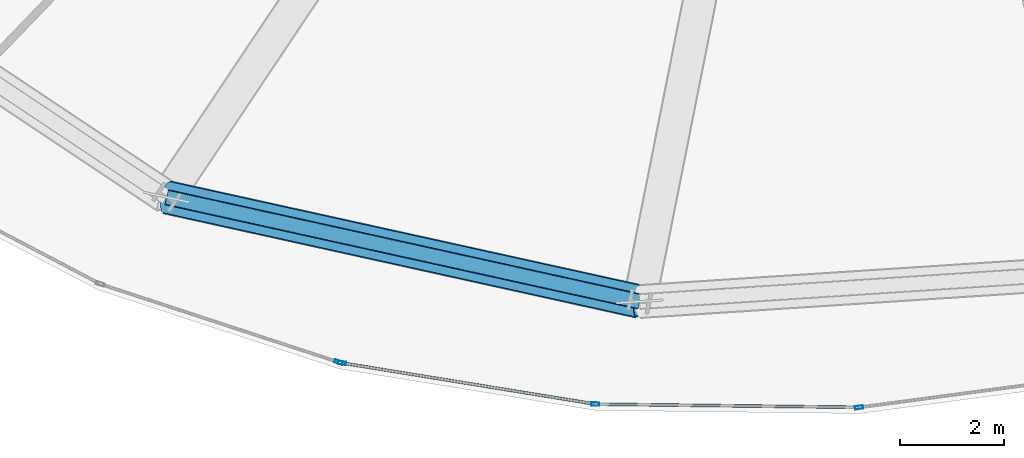
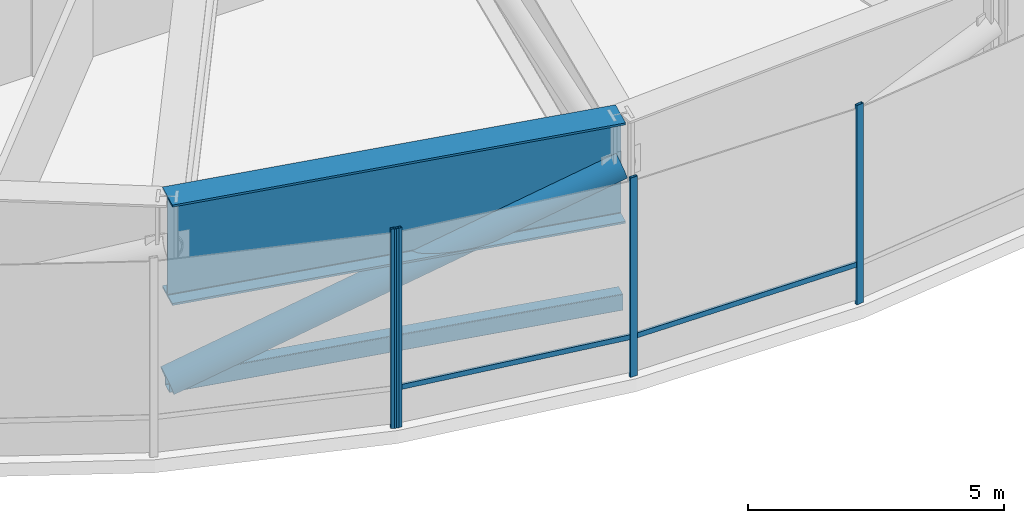
# One storey, part 5 of 33: 8 members, 1 beam, 2 elements without a shape of their own.
"""IFC4 building model written with IfcOpenShell, lengths in metres."""

from ifc_helpers import new_model, si_unit, direction, frame, origin, origin_2d, place, context, subcontext, project, spatial, hollow_rectangle, hollow_circle, i_section, extrude, source, transform, mapped, material, layer, layer_set, material_profile, profile_set, type_object, element, aggregate, save


model = new_model("IFC4")

# Units and contexts
model_context = context("Model", 3, precision=1e-05, world=origin(), true_north=direction((0.0, 1.0)))
body_context = subcontext(model_context, "Body", "Model", "MODEL_VIEW")
ifc_project = project(units=[si_unit("LENGTHUNIT", "METRE"), si_unit("AREAUNIT", "SQUARE_METRE"), si_unit("VOLUMEUNIT", "CUBIC_METRE"), si_unit("PLANEANGLEUNIT", "RADIAN"), si_unit("MASSUNIT", "GRAM", prefix="KILO"), si_unit("THERMODYNAMICTEMPERATUREUNIT", "KELVIN")], contexts=[model_context])

# Site, building, storey
site_placement = place(None, origin())
site = spatial("IfcSite", under=ifc_project, at=site_placement, CompositionType="ELEMENT")
building_placement = place(site_placement, origin())
building = spatial("IfcBuilding", under=site, at=building_placement, Name="Kethvar Cultural Tower", CompositionType="ELEMENT")
storey_placement = place(building_placement, frame((0.0, 0.0, 80.39990234375)))
storey = spatial("IfcBuildingStorey", under=building, at=storey_placement, Name="L19", CompositionType="ELEMENT", Elevation=80.39990234375)

# Beam
ifc_material_1 = material(Name="Steel S460M", Category="steel")
ifc_material_profile_1 = material_profile(ifc_material_1, i_section(OverallWidth=0.64990234375, OverallDepth=2.39990234375, WebThickness=0.030029296875, FlangeThickness=0.048095703125, FilletRadius=0.02197265625, at=origin_2d()), Name="Steel S460M — PG2400x650x48x30")
ifc_profile_set_1 = profile_set([ifc_material_profile_1], Name="Steel S460M — PG2400x650x48x30")
beam_type = type_object("IfcBeamType", Name="BM-TR2400", PredefinedType="BEAM", material=ifc_profile_set_1)
shared_shape_1 = source(origin(), body_context, "Body", "SweptSolid", [
    extrude(i_section(OverallWidth=0.64990234375, OverallDepth=2.39990234375, WebThickness=0.030029296875, FlangeThickness=0.048095703125, FilletRadius=0.02197265625, at=origin_2d()), origin(), (0.0, 0.0, 1.0), 9.299560546875),
])
beam_placement = place(storey_placement, frame((33.302001953125, 7.598876953125, 3.55810546875), z_axis=(0.976536034872, -0.21535406334, 0.0), x_axis=(0.21535406334, 0.976536034872, 0.0)))
element("IfcBeam", 1, at=beam_placement, inside=storey, type_object=beam_type, Name="L19 Ring Belt Girder BG-11", PredefinedType="BEAM", context=body_context, shape_type="MappedRepresentation", body=[
    mapped(shared_shape_1, transform((0.0, 0.0, 0.0), scale=1.0)),
])

# Members
ifc_material_profile_2 = material_profile(ifc_material_1, hollow_rectangle(XDim=0.300048828125, YDim=0.39990234375, WallThickness=0.01611328125, InnerFilletRadius=0.01611328125, OuterFilletRadius=0.031982421875, at=origin_2d()), Name="Steel S460M — RHS400x300x16")
ifc_profile_set_2 = profile_set([ifc_material_profile_2], Name="Steel S460M — RHS400x300x16")
member_type_1 = type_object("IfcMemberType", Name="MB-CHD-400", PredefinedType="CHORD", material=ifc_profile_set_2)
shared_shape_2 = source(origin(), body_context, "Body", "SweptSolid", [
    extrude(hollow_rectangle(XDim=0.300048828125, YDim=0.39990234375, WallThickness=0.01611328125, InnerFilletRadius=0.01611328125, OuterFilletRadius=0.031982421875, at=origin_2d()), origin(), (0.0, 0.0, 1.0), 9.299560546875),
])
member_1_placement = place(storey_placement, frame((33.302001953125, 7.598876953125, 0.35009765625), z_axis=(0.976536034872, -0.21535406334, 0.0), x_axis=(0.21535406334, 0.976536034872, 0.0)))
element("IfcMember", 2, at=member_1_placement, inside=storey, type_object=member_type_1, Name="L19 Ring Belt Bottom Chord BC-11", PredefinedType="CHORD", context=body_context, shape_type="MappedRepresentation", body=[
    mapped(shared_shape_2, transform((0.0, 0.0, 0.0), scale=1.0)),
])
ifc_material_profile_3 = material_profile(ifc_material_1, hollow_circle(Radius=0.304931640625, WallThickness=0.02490234375, at=origin_2d()), Name="Steel S460M — CHS610x25")
ifc_profile_set_3 = profile_set([ifc_material_profile_3], Name="Steel S460M — CHS610x25")
member_type_2 = type_object("IfcMemberType", Name="MB-OUT-610", PredefinedType="BRACE", material=ifc_profile_set_3)
shared_shape_3 = source(origin(), body_context, "Body", "SweptSolid", [
    extrude(hollow_circle(Radius=0.304931640625, WallThickness=0.02490234375, at=origin_2d()), origin(), (0.0, 0.0, 1.0), 9.837158203125),
])
member_2_placement = place(storey_placement, frame((33.302001953125, 7.598876953125, 0.35009765625), z_axis=(0.923151525816, -0.203581255646, 0.326107241154), x_axis=(0.21535406334, 0.976536034872, 0.0)))
element("IfcMember", 3, at=member_2_placement, inside=storey, type_object=member_type_2, Name="L19 Ring Belt Diagonal BD-11", PredefinedType="BRACE", context=body_context, shape_type="MappedRepresentation", body=[
    mapped(shared_shape_3, transform((0.0, 0.0, 0.0), scale=1.0)),
])

# Curtain wall, member
ifc_material_2 = material(Name="Aluminium 6063-T6", Category="aluminium")
ifc_layer = layer(ifc_material_2, 0.179931640625, Name="Aluminium 6063-T6", Category="aluminium")
ifc_layer_set = layer_set([ifc_layer], Name="Aluminium 6063-T6 (180 mm)")
curtain_wall_type = type_object("IfcCurtainWallType", Name="CW-SYS-02-Z1", PredefinedType="NOTDEFINED", material=ifc_layer_set)
curtain_wall_1_placement = place(storey_placement, origin())
curtain_wall_1 = element("IfcCurtainWall", 4, at=curtain_wall_1_placement, inside=storey, type_object=curtain_wall_type, Name="L19 Curtain Wall Run 04", PredefinedType="NOTDEFINED")
ifc_material_profile_4 = material_profile(ifc_material_2, hollow_rectangle(XDim=0.06494140625, YDim=0.159912109375, WallThickness=0.0048828125, at=origin_2d()), Name="Aluminium 6063-T6 — RHS160x65x5")
ifc_profile_set_4 = profile_set([ifc_material_profile_4], Name="Aluminium 6063-T6 — RHS160x65x5")
member_type_3 = type_object("IfcMemberType", Name="CW-SYS-02-Z1-MUL", PredefinedType="MULLION", material=ifc_profile_set_4)
shared_shape_4 = source(origin(), body_context, "Body", "SweptSolid", [
    extrude(hollow_rectangle(XDim=0.06494140625, YDim=0.159912109375, WallThickness=0.0048828125, at=origin_2d()), origin(), (0.0, 0.0, 1.0), 4.760009765625),
])
member_3_placement = place(storey_placement, frame((36.602783203125, 4.4326171875, 0.0), z_axis=(0.0, 0.0, 1.0), x_axis=(0.311605300321, 0.950211627382, 0.0)))
member_3 = element("IfcMember", 5, at=member_3_placement, type_object=member_type_3, Name="CW-L19-R04 Mullion 7", PredefinedType="MULLION", context=body_context, shape_type="MappedRepresentation", body=[
    mapped(shared_shape_4, transform((0.0, 0.0, 0.0), scale=1.0)),
])
aggregate(curtain_wall_1, [member_3])

# Curtain wall, members
curtain_wall_2_placement = place(storey_placement, origin())
curtain_wall_2 = element("IfcCurtainWall", 6, at=curtain_wall_2_placement, inside=storey, type_object=curtain_wall_type, Name="L19 Curtain Wall Run 05", PredefinedType="NOTDEFINED")
member_4_placement = place(storey_placement, frame((36.66650390625, 4.417236328125, 0.0), z_axis=(0.0, 0.0, 1.0), x_axis=(0.160225753504, 0.987080395872, 0.0)))
member_4 = element("IfcMember", 7, at=member_4_placement, type_object=member_type_3, Name="CW-L19-R05 Mullion 1", PredefinedType="MULLION", context=body_context, shape_type="MappedRepresentation", body=[
    mapped(shared_shape_4, transform((0.0, 0.0, 0.0), scale=1.0)),
])
member_5_placement = place(storey_placement, frame((41.531005859375, 3.626220703125, 0.0), z_axis=(0.0, 0.0, 1.0), x_axis=(0.012025028722, 0.999927696728, 0.0)))
member_5 = element("IfcMember", 8, at=member_5_placement, type_object=member_type_3, Name="CW-L19-R05 Mullion 2", PredefinedType="MULLION", context=body_context, shape_type="MappedRepresentation", body=[
    mapped(shared_shape_4, transform((0.0, 0.0, 0.0), scale=1.0)),
])
member_6_placement = place(storey_placement, frame((46.597412109375, 3.56396484375, 0.0), z_axis=(0.0, 0.0, 1.0), x_axis=(-0.132221790227, 0.991220156267, 0.0)))
member_6 = element("IfcMember", 9, at=member_6_placement, type_object=member_type_3, Name="CW-L19-R05 Mullion 3", PredefinedType="MULLION", context=body_context, shape_type="MappedRepresentation", body=[
    mapped(shared_shape_4, transform((0.0, 0.0, 0.0), scale=1.0)),
])
ifc_material_profile_5 = material_profile(ifc_material_2, hollow_rectangle(XDim=0.054931640625, YDim=0.1201171875, WallThickness=0.00390625, at=origin_2d()), Name="Aluminium 6063-T6 — RHS120x55x4")
ifc_profile_set_5 = profile_set([ifc_material_profile_5], Name="Aluminium 6063-T6 — RHS120x55x4")
member_type_4 = type_object("IfcMemberType", Name="CW-SYS-02-Z1-TRN", PredefinedType="USERDEFINED", material=ifc_profile_set_5)
shared_shape_5 = source(origin(), body_context, "Body", "SweptSolid", [
    extrude(hollow_rectangle(XDim=0.054931640625, YDim=0.1201171875, WallThickness=0.00390625, at=origin_2d()), origin(), (0.0, 0.0, 1.0), 4.99072265625),
])
member_7_placement = place(storey_placement, frame((41.57763671875, 3.62548828125, 0.9501953125), z_axis=(0.999928179056, -0.011984854159, 0.0), x_axis=(0.011984854159, 0.999928179056, 0.0)))
member_7 = element("IfcMember", 10, at=member_7_placement, type_object=member_type_4, Name="CW-L19-R05 Transom 2", ObjectType="TRANSOM", PredefinedType="USERDEFINED", context=body_context, shape_type="MappedRepresentation", body=[
    mapped(shared_shape_5, transform((0.0, 0.0, 0.0), scale=1.0)),
])
shared_shape_6 = source(origin(), body_context, "Body", "SweptSolid", [
    extrude(hollow_rectangle(XDim=0.054931640625, YDim=0.1201171875, WallThickness=0.00390625, at=origin_2d()), origin(), (0.0, 0.0, 1.0), 4.894775390625),
])
member_8_placement = place(storey_placement, frame((36.6708984375, 4.41650390625, 0.9501953125), z_axis=(0.987075427382, -0.16025635918, 0.0), x_axis=(0.16025635918, 0.987075427382, 0.0)))
member_8 = element("IfcMember", 11, at=member_8_placement, type_object=member_type_4, Name="CW-L19-R05 Transom 1", ObjectType="TRANSOM", PredefinedType="USERDEFINED", context=body_context, shape_type="MappedRepresentation", body=[
    mapped(shared_shape_6, transform((0.0, 0.0, 0.0), scale=1.0)),
])
aggregate(curtain_wall_2, [member_4, member_5, member_6, member_8, member_7])

save(model, "model.ifc")
